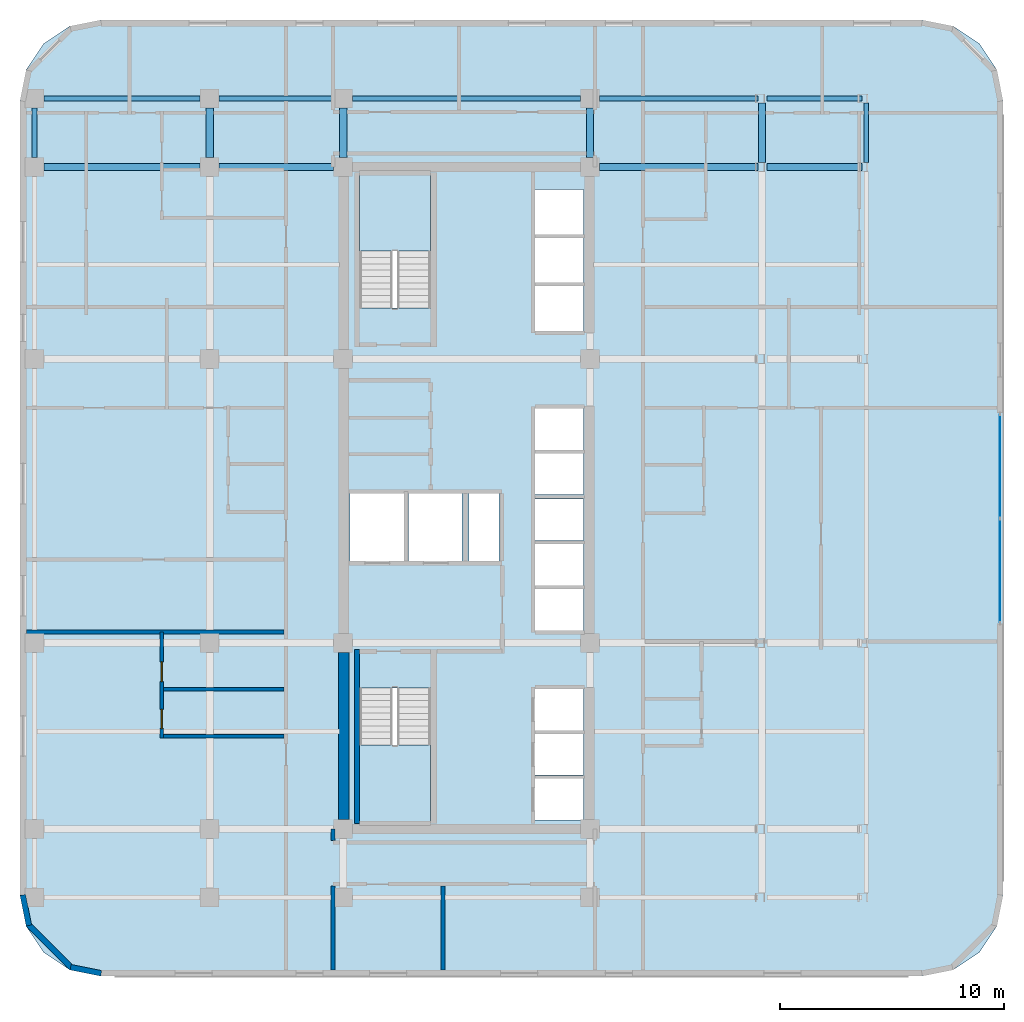
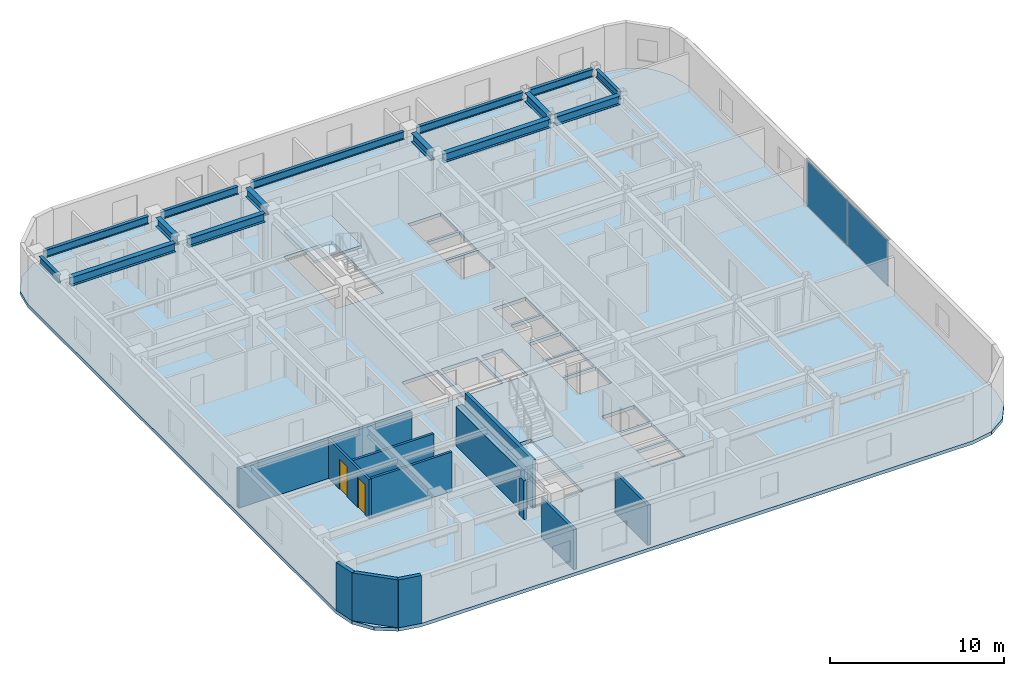
# One storey, part 3 of 12: 15 beams, 12 walls, 3 slabs, 2 doors, 2 plates, 2 openings, 3 elements without a shape of their own.
"""IFC4 building model written with IfcOpenShell, lengths in metres."""

from ifc_helpers import new_model, si_unit, direction, frame, frame_2d, origin, origin_2d, place, context, subcontext, project, spatial, polyline, rectangle, i_section, outline, extrude, material, layer, layer_set, material_profile, profile_set, type_object, element, fill, aggregate, save


model = new_model("IFC4")

# Units and contexts
model_context = context("Model", 3, precision=1e-05, world=origin(), true_north=direction((0.0, 1.0)))
body_context = subcontext(model_context, "Body", "Model", "MODEL_VIEW")
ifc_project = project(units=[si_unit("LENGTHUNIT", "METRE"), si_unit("AREAUNIT", "SQUARE_METRE"), si_unit("VOLUMEUNIT", "CUBIC_METRE"), si_unit("PLANEANGLEUNIT", "RADIAN"), si_unit("MASSUNIT", "GRAM", prefix="KILO")], contexts=[model_context])

# Site, building, storey
site_placement = place(None, origin())
site = spatial("IfcSite", under=ifc_project, at=site_placement, CompositionType="ELEMENT")
building_placement = place(site_placement, origin())
building = spatial("IfcBuilding", under=site, at=building_placement, Name="Ochreholt Gables", CompositionType="ELEMENT")
storey_placement = place(building_placement, frame((0.0, 0.0, 80.39990234375)))
storey = spatial("IfcBuildingStorey", under=building, at=storey_placement, Name="L20", CompositionType="ELEMENT", Elevation=80.39990234375)

# Beams
ifc_material_1 = material(Name="Steel CSA G40.21 350W", Category="steel")
ifc_material_profile_1 = material_profile(ifc_material_1, i_section(OverallWidth=0.323974609375, OverallDepth=0.611083984375, WebThickness=0.0126953125, FlangeThickness=0.01904296875, at=origin_2d()), Name="W610X155")
ifc_profile_set_1 = profile_set([ifc_material_profile_1], Name="Steel CSA G40.21 350W")
beam_type_1 = type_object("IfcBeamType", Name="BM-G-W610A", PredefinedType="BEAM", material=ifc_profile_set_1)
beam_1_placement = place(storey_placement, frame((10.87451171875, 38.75, 3.0546875), z_axis=(1.0, 0.0, 0.0), x_axis=(0.0, 1.0, 0.0)))
element("IfcBeam", 1, at=beam_1_placement, inside=storey, type_object=beam_type_1, Name="L20 Beam TBG-L20-W2W3-Y5", PredefinedType="BEAM", context=body_context, shape_type="SweptSolid", body=[
    extrude(i_section(OverallWidth=0.323974609375, OverallDepth=0.611083984375, WebThickness=0.0126953125, FlangeThickness=0.01904296875, at=origin_2d()), origin(), (0.0, 0.0, 1.0), 6.950927734375),
])
beam_2_placement = place(storey_placement, frame((18.674560546875, 38.75, 3.0546875), z_axis=(1.0, 0.0, 0.0), x_axis=(0.0, 1.0, 0.0)))
element("IfcBeam", 2, at=beam_2_placement, inside=storey, type_object=beam_type_1, Name="L20 Beam TBG-L20-W3C1-Y5", PredefinedType="BEAM", context=body_context, shape_type="SweptSolid", body=[
    extrude(i_section(OverallWidth=0.323974609375, OverallDepth=0.611083984375, WebThickness=0.0126953125, FlangeThickness=0.01904296875, at=origin_2d()), origin(), (0.0, 0.0, 1.0), 5.100830078125),
])
beam_3_placement = place(storey_placement, frame((35.62451171875, 38.75, 3.0546875), z_axis=(1.0, 0.0, 0.0), x_axis=(0.0, 1.0, 0.0)))
element("IfcBeam", 3, at=beam_3_placement, inside=storey, type_object=beam_type_1, Name="L20 Beam TBG-L20-C2EM-Y5", PredefinedType="BEAM", context=body_context, shape_type="SweptSolid", body=[
    extrude(i_section(OverallWidth=0.323974609375, OverallDepth=0.611083984375, WebThickness=0.0126953125, FlangeThickness=0.01904296875, at=origin_2d()), origin(), (0.0, 0.0, 1.0), 7.048828125),
])
beam_4_placement = place(storey_placement, frame((43.07861328125, 38.75, 3.0546875), z_axis=(1.0, 0.0, 0.0), x_axis=(0.0, 1.0, 0.0)))
element("IfcBeam", 4, at=beam_4_placement, inside=storey, type_object=beam_type_1, Name="L20 Beam TBG-L20-EMEE-Y5", PredefinedType="BEAM", context=body_context, shape_type="SweptSolid", body=[
    extrude(i_section(OverallWidth=0.323974609375, OverallDepth=0.611083984375, WebThickness=0.0126953125, FlangeThickness=0.01904296875, at=origin_2d()), origin(), (0.0, 0.0, 1.0), 4.24755859375),
])
for number, where, z_axis, x_axis, name in (
    (5, (18.25, 39.174560546875, 3.0546875), (0.0, 1.0, 0.0), (-1.0, 0.0, 0.0), "L20 Beam TBN-L20-W3-Y5Y6"),
    (6, (24.199951171875, 39.174560546875, 3.0546875), (0.0, 1.0, 0.0), (-1.0, 0.0, 0.0), "L20 Beam TBN-L20-C1-Y5Y6"),
    (7, (35.199951171875, 39.174560546875, 3.0546875), (0.0, 1.0, 0.0), (-1.0, 0.0, 0.0), "L20 Beam TBN-L20-C2-Y5Y6"),
):
    element("IfcBeam", number, at=place(storey_placement, frame(where, z_axis=z_axis, x_axis=x_axis)), inside=storey, type_object=beam_type_1, Name=name, PredefinedType="BEAM", context=body_context, shape_type="SweptSolid", body=[
        extrude(i_section(OverallWidth=0.323974609375, OverallDepth=0.611083984375, WebThickness=0.0126953125, FlangeThickness=0.01904296875, at=origin_2d()), origin(), (0.0, 0.0, 1.0), 2.200927734375),
    ])
beam_5_placement = place(storey_placement, frame((42.85888671875, 38.95263671875, 3.0546875), z_axis=(0.0, 1.0, 0.0), x_axis=(-1.0, 0.0, 0.0)))
element("IfcBeam", 8, at=beam_5_placement, inside=storey, type_object=beam_type_1, Name="L20 Beam TBN-L20-EM-Y5Y6", PredefinedType="BEAM", context=body_context, shape_type="SweptSolid", body=[
    extrude(i_section(OverallWidth=0.323974609375, OverallDepth=0.611083984375, WebThickness=0.0126953125, FlangeThickness=0.01904296875, at=origin_2d()), origin(), (0.0, 0.0, 1.0), 2.644775390625),
])
ifc_material_profile_2 = material_profile(ifc_material_1, i_section(OverallWidth=0.208984375, OverallDepth=0.532958984375, WebThickness=0.01025390625, FlangeThickness=0.015625, at=origin_2d()), Name="W530X92")
ifc_profile_set_2 = profile_set([ifc_material_profile_2], Name="Steel CSA G40.21 350W")
beam_type_2 = type_object("IfcBeamType", Name="BM-SP-W530B", PredefinedType="SPANDREL", material=ifc_profile_set_2)
beam_6_placement = place(storey_placement, frame((10.87451171875, 41.800048828125, 3.093505859375), z_axis=(1.0, 0.0, 0.0), x_axis=(0.0, 1.0, 0.0)))
element("IfcBeam", 9, at=beam_6_placement, inside=storey, type_object=beam_type_2, Name="L20 Beam TBG-L20-W2W3-Y6", PredefinedType="SPANDREL", context=body_context, shape_type="SweptSolid", body=[
    extrude(i_section(OverallWidth=0.208984375, OverallDepth=0.532958984375, WebThickness=0.01025390625, FlangeThickness=0.015625, at=origin_2d()), origin(), (0.0, 0.0, 1.0), 6.950927734375),
])
beam_7_placement = place(storey_placement, frame((18.674560546875, 41.800048828125, 3.093505859375), z_axis=(1.0, 0.0, 0.0), x_axis=(0.0, 1.0, 0.0)))
element("IfcBeam", 10, at=beam_7_placement, inside=storey, type_object=beam_type_2, Name="L20 Beam TBG-L20-W3C1-Y6", PredefinedType="SPANDREL", context=body_context, shape_type="SweptSolid", body=[
    extrude(i_section(OverallWidth=0.208984375, OverallDepth=0.532958984375, WebThickness=0.01025390625, FlangeThickness=0.015625, at=origin_2d()), origin(), (0.0, 0.0, 1.0), 5.100830078125),
])
beam_8_placement = place(storey_placement, frame((24.62451171875, 41.800048828125, 3.093505859375), z_axis=(1.0, 0.0, 0.0), x_axis=(0.0, 1.0, 0.0)))
element("IfcBeam", 11, at=beam_8_placement, inside=storey, type_object=beam_type_2, Name="L20 Beam TBG-L20-C1C2-Y6", PredefinedType="SPANDREL", context=body_context, shape_type="SweptSolid", body=[
    extrude(i_section(OverallWidth=0.208984375, OverallDepth=0.532958984375, WebThickness=0.01025390625, FlangeThickness=0.015625, at=origin_2d()), origin(), (0.0, 0.0, 1.0), 10.15087890625),
])
beam_9_placement = place(storey_placement, frame((35.62451171875, 41.800048828125, 3.093505859375), z_axis=(1.0, 0.0, 0.0), x_axis=(0.0, 1.0, 0.0)))
element("IfcBeam", 12, at=beam_9_placement, inside=storey, type_object=beam_type_2, Name="L20 Beam TBG-L20-C2EM-Y6", PredefinedType="SPANDREL", context=body_context, shape_type="SweptSolid", body=[
    extrude(i_section(OverallWidth=0.208984375, OverallDepth=0.532958984375, WebThickness=0.01025390625, FlangeThickness=0.015625, at=origin_2d()), origin(), (0.0, 0.0, 1.0), 7.048828125),
])
beam_10_placement = place(storey_placement, frame((43.07861328125, 41.800048828125, 3.093505859375), z_axis=(1.0, 0.0, 0.0), x_axis=(0.0, 1.0, 0.0)))
element("IfcBeam", 13, at=beam_10_placement, inside=storey, type_object=beam_type_2, Name="L20 Beam TBG-L20-EMEE-Y6", PredefinedType="SPANDREL", context=body_context, shape_type="SweptSolid", body=[
    extrude(i_section(OverallWidth=0.208984375, OverallDepth=0.532958984375, WebThickness=0.01025390625, FlangeThickness=0.015625, at=origin_2d()), origin(), (0.0, 0.0, 1.0), 4.24755859375),
])
beam_11_placement = place(storey_placement, frame((10.449951171875, 39.174560546875, 3.093505859375), z_axis=(0.0, 1.0, 0.0), x_axis=(-1.0, 0.0, 0.0)))
element("IfcBeam", 14, at=beam_11_placement, inside=storey, type_object=beam_type_2, Name="L20 Beam TBN-L20-W2-Y5Y6", PredefinedType="SPANDREL", context=body_context, shape_type="SweptSolid", body=[
    extrude(i_section(OverallWidth=0.208984375, OverallDepth=0.532958984375, WebThickness=0.01025390625, FlangeThickness=0.015625, at=origin_2d()), origin(), (0.0, 0.0, 1.0), 2.200927734375),
])
beam_12_placement = place(storey_placement, frame((47.50048828125, 38.95263671875, 3.093505859375), z_axis=(0.0, 1.0, 0.0), x_axis=(-1.0, 0.0, 0.0)))
element("IfcBeam", 15, at=beam_12_placement, inside=storey, type_object=beam_type_2, Name="L20 Beam TBN-L20-EE-Y5Y6", PredefinedType="SPANDREL", context=body_context, shape_type="SweptSolid", body=[
    extrude(i_section(OverallWidth=0.208984375, OverallDepth=0.532958984375, WebThickness=0.01025390625, FlangeThickness=0.015625, at=origin_2d()), origin(), (0.0, 0.0, 1.0), 2.644775390625),
])

# Curtain wall, plates
ifc_material_2 = material(Name="Unitised Aluminium and Triple Glazing", Category="aluminium")
ifc_layer_1 = layer(ifc_material_2, 0.18994140625, Name="Unitised Aluminium and Triple Glazing")
ifc_layer_set_1 = layer_set([ifc_layer_1], Name="Unitised Aluminium and Triple Glazing")
curtain_wall_type = type_object("IfcCurtainWallType", Name="CW-SYS3", PredefinedType="NOTDEFINED", material=ifc_layer_set_1)
curtain_wall_placement = place(storey_placement, origin())
curtain_wall = element("IfcCurtainWall", 16, at=curtain_wall_placement, inside=storey, type_object=curtain_wall_type, Name="L20 East Unitised Curtain Wall", PredefinedType="NOTDEFINED")
ifc_material_3 = material(Name="Triple Low-E Insulating Glass", Category="glass")
ifc_layer_2 = layer(ifc_material_3, 0.033935546875, Name="Triple Low-E Insulating Glass")
ifc_layer_set_2 = layer_set([ifc_layer_2], Name="Triple Low-E Insulating Glass")
plate_type = type_object("IfcPlateType", Name="CW-PNL-34", PredefinedType="CURTAIN_PANEL", material=ifc_layer_set_2)
plate_1_placement = place(storey_placement, frame((53.4599609375, 20.76123046875, 0.0751953125), z_axis=(0.0, 0.0, 1.0), x_axis=(0.0, 1.0, 0.0)))
plate_1 = element("IfcPlate", 17, at=plate_1_placement, type_object=plate_type, Name="CW-3 panel 1.1", PredefinedType="CURTAIN_PANEL", context=body_context, shape_type="SweptSolid", body=[
    extrude(rectangle(XDim=4.592529296875, YDim=0.033935546875, at=origin_2d()), origin(), (0.0, 0.0, 1.0), 3.2099609375),
])
plate_2_placement = place(storey_placement, frame((53.4599609375, 25.418701171875, 0.0751953125), z_axis=(0.0, 0.0, 1.0), x_axis=(0.0, 1.0, 0.0)))
plate_2 = element("IfcPlate", 18, at=plate_2_placement, type_object=plate_type, Name="CW-3 panel 2.1", PredefinedType="CURTAIN_PANEL", context=body_context, shape_type="SweptSolid", body=[
    extrude(rectangle(XDim=4.592529296875, YDim=0.033935546875, at=origin_2d()), origin(), (0.0, 0.0, 1.0), 3.2099609375),
])
aggregate(curtain_wall, [plate_1, plate_2])

# Stair, slab
ifc_material_4 = material(Name="Concrete 40 MPa", Category="concrete")
stair_type_1 = type_object("IfcStairType", Name="STAIR-CORE-ST-1", PredefinedType="HALF_TURN_STAIR", material=ifc_material_4)
stair_1_placement = place(storey_placement, origin())
stair_1 = element("IfcStair", 19, at=stair_1_placement, inside=storey, type_object=stair_type_1, Name="L20 Core Exit Stair 1", PredefinedType="HALF_TURN_STAIR")
ifc_layer_3 = layer(ifc_material_4, 0.199951171875, Name="Concrete 40 MPa")
ifc_layer_set_3 = layer_set([ifc_layer_3], Name="Concrete 40 MPa")
slab_type_1 = type_object("IfcSlabType", Name="LANDING-RC200", PredefinedType="LANDING", material=ifc_layer_set_3)
slab_1_placement = place(storey_placement, frame((0.0, 0.0, 1.60009765625)))
slab_1 = element("IfcSlab", 20, at=slab_1_placement, type_object=slab_type_1, Name="ST-1 landing 1", PredefinedType="LANDING", context=body_context, shape_type="SweptSolid", body=[
    extrude(outline(polyline([(24.919921875, 13.001953125), (24.919921875, 9.52001953125), (28.080078125, 9.52001953125), (28.080078125, 13.001953125), (24.919921875, 13.001953125)])), origin(), (0.0, 0.0, 1.0), 0.199951171875),
])
aggregate(stair_1, [slab_1])

stair_type_2 = type_object("IfcStairType", Name="STAIR-CORE-ST-2", PredefinedType="HALF_TURN_STAIR", material=ifc_material_4)
stair_2_placement = place(storey_placement, origin())
stair_2 = element("IfcStair", 21, at=stair_2_placement, inside=storey, type_object=stair_type_2, Name="L20 Core Exit Stair 2", PredefinedType="HALF_TURN_STAIR")
slab_2_placement = place(storey_placement, frame((0.0, 0.0, 1.60009765625)))
slab_2 = element("IfcSlab", 22, at=slab_2_placement, type_object=slab_type_1, Name="ST-2 landing 1", PredefinedType="LANDING", context=body_context, shape_type="SweptSolid", body=[
    extrude(outline(polyline([(28.080078125, 34.998046875), (28.080078125, 38.47998046875), (24.919921875, 38.47998046875), (24.919921875, 34.998046875), (28.080078125, 34.998046875)])), origin(), (0.0, 0.0, 1.0), 0.199951171875),
])
aggregate(stair_2, [slab_2])

# Slab
ifc_layer_4 = layer(ifc_material_4, 0.239990234375, Name="Concrete 40 MPa")
ifc_layer_set_4 = layer_set([ifc_layer_4], Name="Concrete 40 MPa")
slab_type_2 = type_object("IfcSlabType", Name="SLAB-TWR-240", PredefinedType="FLOOR", material=ifc_layer_set_4)
slab_3_placement = place(storey_placement, frame((0.0, 0.0, -0.239990234375)))
element("IfcSlab", 23, at=slab_3_placement, inside=storey, type_object=slab_type_2, Name="L20 Structural Floor Slab", PredefinedType="FLOOR", context=body_context, shape_type="SweptSolid", body=[
    extrude(outline(polyline([(9.800048828125, 6.300048828125), (10.073974609375, 4.92236328125), (10.8544921875, 3.75439453125), (12.022216796875, 2.97412109375), (13.39990234375, 2.699951171875), (50.0, 2.699951171875), (51.377685546875, 2.97412109375), (52.545654296875, 3.75439453125), (53.325927734375, 4.92236328125), (53.60009765625, 6.300048828125), (53.60009765625, 41.699951171875), (53.325927734375, 43.07763671875), (52.545654296875, 44.24560546875), (51.377685546875, 45.02587890625), (50.0, 45.300048828125), (13.39990234375, 45.300048828125), (12.022216796875, 45.02587890625), (10.8544921875, 44.24560546875), (10.073974609375, 43.07763671875), (9.800048828125, 41.699951171875), (9.800048828125, 6.300048828125)]), holes=[polyline([(24.919921875, 15.539306640625), (24.919921875, 9.52001953125), (28.080078125, 9.52001953125), (28.080078125, 15.539306640625), (24.919921875, 15.539306640625)]), polyline([(28.080078125, 32.460693359375), (28.080078125, 38.47998046875), (24.919921875, 38.47998046875), (24.919921875, 32.460693359375), (28.080078125, 32.460693359375)]), polyline([(24.5, 21.199951171875), (26.89990234375, 21.199951171875), (26.89990234375, 24.199951171875), (24.5, 24.199951171875), (24.5, 21.199951171875)]), polyline([(27.10009765625, 21.199951171875), (29.5, 21.199951171875), (29.5, 24.199951171875), (27.10009765625, 24.199951171875), (27.10009765625, 21.199951171875)]), polyline([(32.75, 9.64990234375), (34.89990234375, 9.64990234375), (34.89990234375, 11.5), (32.75, 11.5), (32.75, 9.64990234375)]), polyline([(32.75, 11.64990234375), (34.89990234375, 11.64990234375), (34.89990234375, 13.5), (32.75, 13.5), (32.75, 11.64990234375)]), polyline([(32.75, 13.64990234375), (34.89990234375, 13.64990234375), (34.89990234375, 15.5), (32.75, 15.5), (32.75, 13.64990234375)]), polyline([(32.75, 18.10009765625), (34.89990234375, 18.10009765625), (34.89990234375, 19.949951171875), (32.75, 19.949951171875), (32.75, 18.10009765625)]), polyline([(32.75, 20.10009765625), (34.89990234375, 20.10009765625), (34.89990234375, 21.949951171875), (32.75, 21.949951171875), (32.75, 20.10009765625)]), polyline([(32.75, 22.10009765625), (34.89990234375, 22.10009765625), (34.89990234375, 23.949951171875), (32.75, 23.949951171875), (32.75, 22.10009765625)]), polyline([(32.75, 24.14990234375), (34.89990234375, 24.14990234375), (34.89990234375, 26.0), (32.75, 26.0), (32.75, 24.14990234375)]), polyline([(32.75, 26.14990234375), (34.89990234375, 26.14990234375), (34.89990234375, 28.0), (32.75, 28.0), (32.75, 26.14990234375)]), polyline([(32.75, 31.449951171875), (34.89990234375, 31.449951171875), (34.89990234375, 33.449951171875), (32.75, 33.449951171875), (32.75, 31.449951171875)]), polyline([(32.75, 33.60009765625), (34.89990234375, 33.60009765625), (34.89990234375, 35.60009765625), (32.75, 35.60009765625), (32.75, 33.60009765625)]), polyline([(32.75, 35.75), (34.89990234375, 35.75), (34.89990234375, 37.75), (32.75, 37.75), (32.75, 35.75)]), polyline([(29.800048828125, 21.199951171875), (31.14990234375, 21.199951171875), (31.14990234375, 24.199951171875), (29.800048828125, 24.199951171875), (29.800048828125, 21.199951171875)])]), origin(), (0.0, 0.0, 1.0), 0.239990234375),
])

# Walls
ifc_material_5 = material(Name="Concrete 60 MPa", Category="concrete")
ifc_layer_5 = layer(ifc_material_5, 0.449951171875, Name="Concrete 60 MPa")
ifc_layer_set_5 = layer_set([ifc_layer_5], Name="Concrete 60 MPa")
wall_type_1 = type_object("IfcWallType", Name="WALL-CSW-450", PredefinedType="SHEAR", material=ifc_layer_set_5)
wall_1_placement = place(storey_placement, frame((24.22509765625, 9.675048828125, 0.0), z_axis=(0.0, 0.0, 1.0), x_axis=(0.0, 1.0, 0.0)))
element("IfcWall", 24, at=wall_1_placement, inside=storey, type_object=wall_type_1, Name="L20 Core West Shear Wall WS", PredefinedType="SHEAR", context=body_context, shape_type="SweptSolid", body=[
    extrude(rectangle(XDim=7.449951171875, YDim=0.449951171875, at=frame_2d((3.72509765625, 0.0))), origin(), (0.0, 0.0, 1.0), 2.7490234375),
])
ifc_material_6 = material(Name="Precast concrete 40 MPa", Category="concrete")
ifc_layer_6 = layer(ifc_material_6, 0.25, Name="Precast concrete 40 MPa")
ifc_layer_set_6 = layer_set([ifc_layer_6], Name="Precast concrete 40 MPa")
wall_type_2 = type_object("IfcWallType", Name="WALL-EXT-CNR", PredefinedType="SOLIDWALL", material=ifc_layer_set_6)
wall_2_placement = place(storey_placement, frame((9.92431640625, 6.31640625, 0.0), z_axis=(0.0, 0.0, 1.0), x_axis=(0.195000137217, -0.980803214965, 0.0)))
element("IfcWall", 25, at=wall_2_placement, inside=storey, type_object=wall_type_2, Name="L20 Rounded Corner Wall SW-1", PredefinedType="SOLIDWALL", context=body_context, shape_type="SweptSolid", body=[
    extrude(rectangle(XDim=1.388427734375, YDim=0.25, at=frame_2d((0.6943359375, 0.0))), origin(), (0.0, 0.0, 1.0), 3.360107421875),
])
wall_3_placement = place(storey_placement, frame((10.16796875, 5.0048828125, 0.0), z_axis=(0.0, 0.0, 1.0), x_axis=(0.707151344399, -0.707062215165, 0.0)))
element("IfcWall", 26, at=wall_3_placement, inside=storey, type_object=wall_type_2, Name="L20 Rounded Corner Wall SW-2", PredefinedType="SOLIDWALL", context=body_context, shape_type="SweptSolid", body=[
    extrude(rectangle(XDim=2.7392578125, YDim=0.25, at=frame_2d((1.36962890625, 0.0))), origin(), (0.0, 0.0, 1.0), 3.360107421875),
])
wall_4_placement = place(storey_placement, frame((12.054443359375, 3.094970703125, 0.0), z_axis=(0.0, 0.0, 1.0), x_axis=(0.980809899341, -0.19496651342, 0.0)))
element("IfcWall", 27, at=wall_4_placement, inside=storey, type_object=wall_type_2, Name="L20 Rounded Corner Wall SW-3", PredefinedType="SOLIDWALL", context=body_context, shape_type="SweptSolid", body=[
    extrude(rectangle(XDim=1.388671875, YDim=0.25, at=frame_2d((0.6943359375, 0.0))), origin(), (0.0, 0.0, 1.0), 3.360107421875),
])
ifc_material_7 = material(Name="Fire-Rated Gypsum Acoustic Partition", Category="gypsum")
ifc_layer_7 = layer(ifc_material_7, 0.179931640625, Name="Fire-Rated Gypsum Acoustic Partition")
ifc_layer_set_7 = layer_set([ifc_layer_7], Name="Fire-Rated Gypsum Acoustic Partition")
wall_type_3 = type_object("IfcWallType", Name="WALL-INT-CR180", PredefinedType="STANDARD", material=ifc_layer_set_7)
wall_5_placement = place(storey_placement, frame((23.75, 8.739990234375, 0.0), z_axis=(0.0, 0.0, 1.0), x_axis=(0.0, 1.0, 0.0)))
element("IfcWall", 28, at=wall_5_placement, inside=storey, type_object=wall_type_3, Name="L20 Interior Wall WI-C1SWA2-L20", PredefinedType="STANDARD", context=body_context, shape_type="SweptSolid", body=[
    extrude(rectangle(XDim=0.510009765625, YDim=0.179931640625, at=frame_2d((0.2548828125, 0.0))), origin(), (0.0, 0.0, 1.0), 2.731201171875),
])
ifc_material_8 = material(Name="Double-Stud Acoustic Demising Wall", Category="gypsum")
ifc_layer_8 = layer(ifc_material_8, 0.179931640625, Name="Double-Stud Acoustic Demising Wall")
ifc_layer_set_8 = layer_set([ifc_layer_8], Name="Double-Stud Acoustic Demising Wall")
wall_type_4 = type_object("IfcWallType", Name="WALL-INT-DM180", PredefinedType="PARTITIONING", material=ifc_layer_set_8)
wall_6_placement = place(storey_placement, frame((10.080078125, 18.035888671875, 0.0), z_axis=(0.0, 0.0, 1.0), x_axis=(1.0, 0.0, 0.0)))
element("IfcWall", 29, at=wall_6_placement, inside=storey, type_object=wall_type_4, Name="L20 Interior Wall WI-UDW2-L20", PredefinedType="PARTITIONING", context=body_context, shape_type="SweptSolid", body=[
    extrude(rectangle(XDim=11.47998046875, YDim=0.179931640625, at=frame_2d((5.739990234375, 0.0))), origin(), (0.0, 0.0, 1.0), 2.731201171875),
])
for number, where, z_axis, x_axis, name in (
    (30, (23.75, 2.97998046875, 0.0), (0.0, 0.0, 1.0), (0.0, 1.0, 0.0), "L20 Interior Wall WI-C1SWA-L20"),
    (31, (28.6513671875, 2.97998046875, 0.0), (0.0, 0.0, 1.0), (0.0, 1.0, 0.0), "L20 Interior Wall WI-UDS1-L20"),
):
    element("IfcWall", number, at=place(storey_placement, frame(where, z_axis=z_axis, x_axis=x_axis)), inside=storey, type_object=wall_type_4, Name=name, PredefinedType="PARTITIONING", context=body_context, shape_type="SweptSolid", body=[
        extrude(rectangle(XDim=3.72998046875, YDim=0.179931640625, at=frame_2d((1.864990234375, 0.0))), origin(), (0.0, 0.0, 1.0), 2.80908203125),
    ])
ifc_material_9 = material(Name="Moisture-Resistant Plumbing Chase Wall", Category="gypsum")
ifc_layer_9 = layer(ifc_material_9, 0.159912109375, Name="Moisture-Resistant Plumbing Chase Wall")
ifc_layer_set_9 = layer_set([ifc_layer_9], Name="Moisture-Resistant Plumbing Chase Wall")
wall_type_5 = type_object("IfcWallType", Name="WALL-INT-PL160", PredefinedType="PLUMBINGWALL", material=ifc_layer_set_9)
wall_7_placement = place(storey_placement, frame((16.030029296875, 13.39599609375, 0.0), z_axis=(0.0, 0.0, 1.0), x_axis=(1.0, 0.0, 0.0)))
element("IfcWall", 32, at=wall_7_placement, inside=storey, type_object=wall_type_5, Name="L20 Interior Wall WU-L20W1-WYS", PredefinedType="PLUMBINGWALL", context=body_context, shape_type="SweptSolid", body=[
    extrude(rectangle(XDim=5.530029296875, YDim=0.159912109375, at=frame_2d((2.76513671875, 0.0))), origin(), (0.0, 0.0, 1.0), 2.731201171875),
])

# Wall, openings, doors
wall_8_placement = place(storey_placement, frame((16.110107421875, 13.305908203125, 0.0), z_axis=(0.0, 0.0, 1.0), x_axis=(0.0, 1.0, 0.0)))
wall_8 = element("IfcWall", 33, at=wall_8_placement, inside=storey, type_object=wall_type_5, Name="L20 Interior Wall WU-L20W1-WX", PredefinedType="PLUMBINGWALL", context=body_context, shape_type="SweptSolid", body=[
    extrude(rectangle(XDim=4.72998046875, YDim=0.159912109375, at=frame_2d((2.364990234375, 0.0))), origin(), (0.0, 0.0, 1.0), 2.731201171875),
])
opening_1_placement = place(wall_8_placement, frame((0.419921875, 0.0, 0.0)))
opening_1 = element("IfcOpeningElement", 34, at=opening_1_placement, cuts=wall_8, Name="Opening D-BT1", PredefinedType="OPENING", context=body_context, shape_type="SweptSolid", body=[
    extrude(rectangle(XDim=0.860107421875, YDim=2.1201171875, at=frame_2d((0.43017578125, 1.06005859375))), frame((0.0, 0.08984375, 0.0), z_axis=(0.0, -1.0, 0.0), x_axis=(1.0, 0.0, 0.0)), (0.0, 0.0, 1.0), 0.179931640625),
])
opening_2_placement = place(wall_8_placement, frame((2.512939453125, 0.0, 0.0)))
opening_2 = element("IfcOpeningElement", 35, at=opening_2_placement, cuts=wall_8, Name="Opening D-GN2", PredefinedType="OPENING", context=body_context, shape_type="SweptSolid", body=[
    extrude(rectangle(XDim=0.8798828125, YDim=2.1201171875, at=frame_2d((0.43994140625, 1.06005859375))), frame((0.0, 0.08984375, 0.0), z_axis=(0.0, -1.0, 0.0), x_axis=(1.0, 0.0, 0.0)), (0.0, 0.0, 1.0), 0.179931640625),
])
ifc_material_10 = material(Name="Engineered Oak Timber", Category="wood")
door_type_1 = type_object("IfcDoorType", Name="DR-INT-BTH860", OperationType="NOTDEFINED", PredefinedType="DOOR", material=ifc_material_10)
door_1_placement = place(opening_1_placement, origin())
door_1 = element("IfcDoor", 36, at=door_1_placement, inside=storey, type_object=door_type_1, Name="L20 Door D-U-L20W1-BTH", OperationType="SINGLE_SWING_RIGHT", OverallHeight=2.1201171875, OverallWidth=0.860107421875, PredefinedType="DOOR", context=body_context, shape_type="SweptSolid", body=[
    extrude(rectangle(XDim=0.860107421875, YDim=2.1201171875, at=frame_2d((0.43017578125, 1.06005859375))), frame((0.0, 0.02490234375, 0.0), z_axis=(0.0, -1.0, 0.0), x_axis=(1.0, 0.0, 0.0)), (0.0, 0.0, 1.0), 0.050048828125),
])
fill(opening_1, door_1)
door_type_2 = type_object("IfcDoorType", Name="DR-INT-GEN880", OperationType="NOTDEFINED", PredefinedType="DOOR", material=ifc_material_10)
door_2_placement = place(opening_2_placement, origin())
door_2 = element("IfcDoor", 37, at=door_2_placement, inside=storey, type_object=door_type_2, Name="L20 Door D-U-L20W1-KIT", OperationType="SINGLE_SWING_LEFT", OverallHeight=2.1201171875, OverallWidth=0.8798828125, PredefinedType="DOOR", context=body_context, shape_type="SweptSolid", body=[
    extrude(rectangle(XDim=0.8798828125, YDim=2.1201171875, at=frame_2d((0.43994140625, 1.06005859375))), frame((0.0, 0.02490234375, 0.0), z_axis=(0.0, -1.0, 0.0), x_axis=(1.0, 0.0, 0.0)), (0.0, 0.0, 1.0), 0.050048828125),
])
fill(opening_2, door_2)

# Walls
wall_9_placement = place(storey_placement, frame((16.18994140625, 15.489013671875, 0.0), z_axis=(0.0, 0.0, 1.0), x_axis=(1.0, 0.0, 0.0)))
element("IfcWall", 38, at=wall_9_placement, inside=storey, type_object=wall_type_5, Name="L20 Interior Wall WU-L20W1-WM", PredefinedType="PLUMBINGWALL", context=body_context, shape_type="SweptSolid", body=[
    extrude(rectangle(XDim=5.3701171875, YDim=0.159912109375, at=frame_2d((2.68505859375, 0.0))), origin(), (0.0, 0.0, 1.0), 2.731201171875),
])
ifc_material_11 = material(Name="Concrete 50 MPa", Category="concrete")
ifc_layer_10 = layer(ifc_material_11, 0.219970703125, Name="Concrete 50 MPa")
ifc_layer_set_10 = layer_set([ifc_layer_10], Name="Concrete 50 MPa")
wall_type_6 = type_object("IfcWallType", Name="WALL-STW-220", PredefinedType="SHEAR", material=ifc_layer_set_10)
wall_10_placement = place(storey_placement, frame((24.81005859375, 9.5, 0.0), z_axis=(0.0, 0.0, 1.0), x_axis=(0.0, 1.0, 0.0)))
element("IfcWall", 39, at=wall_10_placement, inside=storey, type_object=wall_type_6, Name="L20 Exit Stair 1 West Wall", PredefinedType="SHEAR", context=body_context, shape_type="SweptSolid", body=[
    extrude(rectangle(XDim=7.760009765625, YDim=0.219970703125, at=frame_2d((3.8798828125, 0.0))), origin(), (0.0, 0.0, 1.0), 3.360107421875),
])

save(model, "model.ifc")
